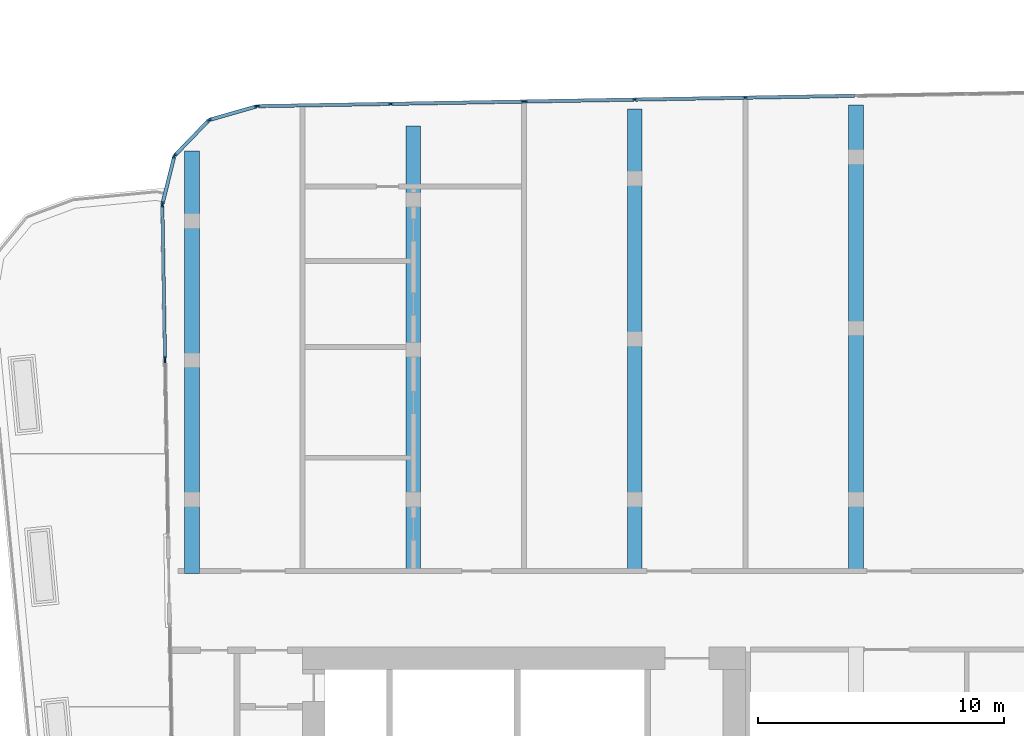
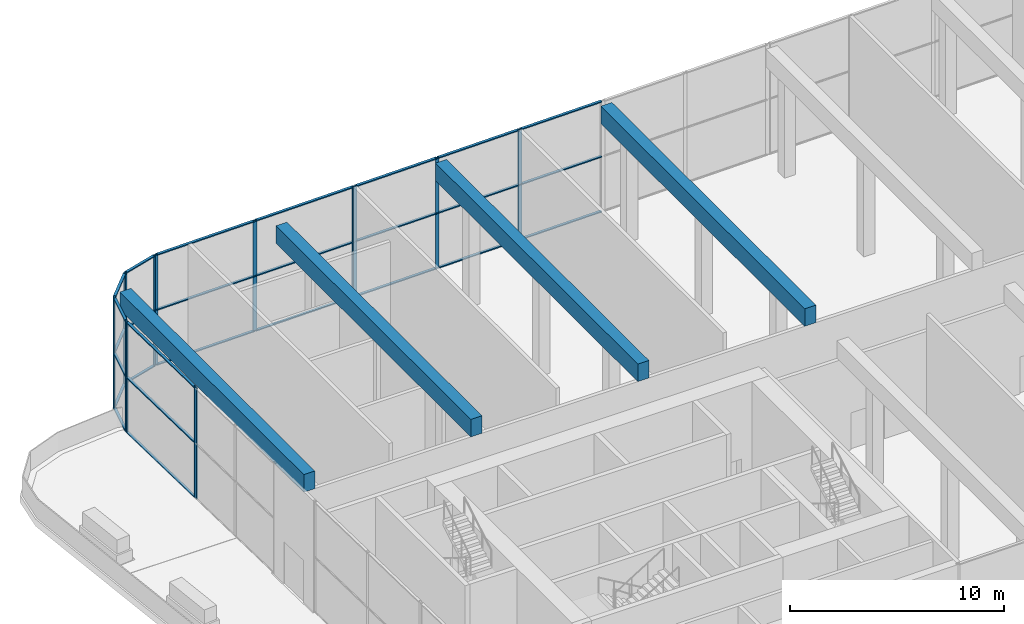
# One storey, part 5 of 24: 42 members, 4 beams, 7 elements without a shape of their own.
"""IFC4 building model written with IfcOpenShell, lengths in metres."""

from ifc_helpers import new_model, si_unit, direction, frame, origin, origin_2d, place, context, subcontext, project, spatial, rectangle, extrude, material, material_profile, profile_set, type_object, element, aggregate, save


model = new_model("IFC4")

# Units and contexts
model_context = context("Model", 3, precision=1e-05, world=origin(), true_north=direction((0.0, 1.0)))
body_context = subcontext(model_context, "Body", "Model", "MODEL_VIEW")
ifc_project = project(units=[si_unit("LENGTHUNIT", "METRE"), si_unit("AREAUNIT", "SQUARE_METRE"), si_unit("VOLUMEUNIT", "CUBIC_METRE"), si_unit("PLANEANGLEUNIT", "RADIAN"), si_unit("MASSUNIT", "GRAM", prefix="KILO")], contexts=[model_context])

# Site, building, storey
site_placement = place(None, origin())
site = spatial("IfcSite", under=ifc_project, at=site_placement, CompositionType="ELEMENT")
building_placement = place(site_placement, origin())
building = spatial("IfcBuilding", under=site, at=building_placement, Name="Kajstack Hotel Tower", CompositionType="ELEMENT")
storey_placement = place(building_placement, frame((0.0, 0.0, 211.10009765625)))
storey = spatial("IfcBuildingStorey", under=building, at=storey_placement, Name="L51", CompositionType="ELEMENT", Elevation=211.10009765625)

# Curtain wall, members
ifc_material_1 = material(Name="Aluminium-framed curtain wall, low-iron insulated glass", Category="aluminium")
curtain_wall_type = type_object("IfcCurtainWallType", Name="CW-GARDEN", PredefinedType="NOTDEFINED", material=ifc_material_1)
curtain_wall_1_placement = place(storey_placement, origin())
curtain_wall_1 = element("IfcCurtainWall", 1, at=curtain_wall_1_placement, inside=storey, type_object=curtain_wall_type, Name="Curtain wall CU6 L51-00-00-0", PredefinedType="NOTDEFINED")
ifc_material_2 = material(Name="Aluminium", Category="aluminium")
ifc_material_profile_1 = material_profile(ifc_material_2, rectangle(XDim=0.06005859375, YDim=0.199951171875, at=origin_2d()), Name="Aluminium mullion 60 x 200")
ifc_profile_set_1 = profile_set([ifc_material_profile_1], Name="Aluminium")
member_type_1 = type_object("IfcMemberType", Name="CW-M-GARDEN", PredefinedType="MULLION", material=ifc_profile_set_1)
member_1_placement = place(storey_placement, frame((-37.206298828125, 16.470703125, 0.0), z_axis=(0.0, 0.0, 1.0), x_axis=(0.999847659763, 0.017454434026, 0.0)))
member_1 = element("IfcMember", 2, at=member_1_placement, type_object=member_type_1, Name="CU6 mullion 1", PredefinedType="MULLION", context=body_context, shape_type="SweptSolid", body=[
    extrude(rectangle(XDim=0.06005859375, YDim=0.199951171875, at=origin_2d()), origin(), (0.0, 0.0, 1.0), 6.31982421875),
])
member_2_placement = place(storey_placement, frame((-37.097412109375, 10.231201171875, 0.0), z_axis=(0.0, 0.0, 1.0), x_axis=(0.999847659763, 0.017454434026, 0.0)))
member_2 = element("IfcMember", 3, at=member_2_placement, type_object=member_type_1, Name="CU6 mullion 2", PredefinedType="MULLION", context=body_context, shape_type="SweptSolid", body=[
    extrude(rectangle(XDim=0.06005859375, YDim=0.199951171875, at=origin_2d()), origin(), (0.0, 0.0, 1.0), 6.31982421875),
])

# Curtain wall, member
curtain_wall_2_placement = place(storey_placement, origin())
curtain_wall_2 = element("IfcCurtainWall", 4, at=curtain_wall_2_placement, inside=storey, type_object=curtain_wall_type, Name="Curtain wall CU6 L51-00-00-1", PredefinedType="NOTDEFINED")
member_3_placement = place(storey_placement, frame((-37.096435546875, 10.17138671875, 0.0), z_axis=(0.0, 0.0, 1.0), x_axis=(0.999847656664, 0.017454611534, 0.0)))
member_3 = element("IfcMember", 5, at=member_3_placement, type_object=member_type_1, Name="CU6 mullion 1", PredefinedType="MULLION", context=body_context, shape_type="SweptSolid", body=[
    extrude(rectangle(XDim=0.06005859375, YDim=0.199951171875, at=origin_2d()), origin(), (0.0, 0.0, 1.0), 6.31982421875),
])
aggregate(curtain_wall_2, [member_3])

# Curtain wall, members
curtain_wall_3_placement = place(storey_placement, origin())
curtain_wall_3 = element("IfcCurtainWall", 6, at=curtain_wall_3_placement, inside=storey, type_object=curtain_wall_type, Name="Curtain wall CU6 L51-12-02-2", PredefinedType="NOTDEFINED")
member_4_placement = place(storey_placement, frame((-13.498779296875, 20.840087890625, 0.0), z_axis=(0.0, 0.0, 1.0), x_axis=(0.017452756148, -0.999847689052, 0.0)))
member_4 = element("IfcMember", 7, at=member_4_placement, type_object=member_type_1, Name="CU6 mullion 2", PredefinedType="MULLION", context=body_context, shape_type="SweptSolid", body=[
    extrude(rectangle(XDim=0.06005859375, YDim=0.199951171875, at=origin_2d()), origin(), (0.0, 0.0, 1.0), 6.31982421875),
])
member_5_placement = place(storey_placement, frame((-17.998779296875, 20.761474609375, 0.0), z_axis=(0.0, 0.0, 1.0), x_axis=(0.017452756148, -0.999847689052, 0.0)))
member_5 = element("IfcMember", 8, at=member_5_placement, type_object=member_type_1, Name="CU6 mullion 3", PredefinedType="MULLION", context=body_context, shape_type="SweptSolid", body=[
    extrude(rectangle(XDim=0.06005859375, YDim=0.199951171875, at=origin_2d()), origin(), (0.0, 0.0, 1.0), 6.31982421875),
])
member_6_placement = place(storey_placement, frame((-22.46875, 20.68359375, 0.0), z_axis=(0.0, 0.0, 1.0), x_axis=(0.017452756148, -0.999847689052, 0.0)))
member_6 = element("IfcMember", 9, at=member_6_placement, type_object=member_type_1, Name="CU6 mullion 4", PredefinedType="MULLION", context=body_context, shape_type="SweptSolid", body=[
    extrude(rectangle(XDim=0.06005859375, YDim=0.199951171875, at=origin_2d()), origin(), (0.0, 0.0, 1.0), 6.31982421875),
])

curtain_wall_4_placement = place(storey_placement, origin())
curtain_wall_4 = element("IfcCurtainWall", 10, at=curtain_wall_4_placement, inside=storey, type_object=curtain_wall_type, Name="Curtain wall CU6 L51-12-02-3", PredefinedType="NOTDEFINED")
member_7_placement = place(storey_placement, frame((-22.528564453125, 20.6826171875, 0.0), z_axis=(0.0, 0.0, 1.0), x_axis=(0.017452836177, -0.999847687655, 0.0)))
member_7 = element("IfcMember", 11, at=member_7_placement, type_object=member_type_1, Name="CU6 mullion 1", PredefinedType="MULLION", context=body_context, shape_type="SweptSolid", body=[
    extrude(rectangle(XDim=0.06005859375, YDim=0.199951171875, at=origin_2d()), origin(), (0.0, 0.0, 1.0), 6.31982421875),
])
member_8_placement = place(storey_placement, frame((-27.9248046875, 20.58837890625, 0.0), z_axis=(0.0, 0.0, 1.0), x_axis=(0.017452836177, -0.999847687655, 0.0)))
member_8 = element("IfcMember", 12, at=member_8_placement, type_object=member_type_1, Name="CU6 mullion 2", PredefinedType="MULLION", context=body_context, shape_type="SweptSolid", body=[
    extrude(rectangle(XDim=0.06005859375, YDim=0.199951171875, at=origin_2d()), origin(), (0.0, 0.0, 1.0), 6.31982421875),
])
member_9_placement = place(storey_placement, frame((-33.321044921875, 20.494140625, 0.0), z_axis=(0.0, 0.0, 1.0), x_axis=(0.017452836177, -0.999847687655, 0.0)))
member_9 = element("IfcMember", 13, at=member_9_placement, type_object=member_type_1, Name="CU6 mullion 3", PredefinedType="MULLION", context=body_context, shape_type="SweptSolid", body=[
    extrude(rectangle(XDim=0.06005859375, YDim=0.199951171875, at=origin_2d()), origin(), (0.0, 0.0, 1.0), 6.31982421875),
])

curtain_wall_5_placement = place(storey_placement, origin())
curtain_wall_5 = element("IfcCurtainWall", 14, at=curtain_wall_5_placement, inside=storey, type_object=curtain_wall_type, Name="Curtain wall CU6 L51-13-00-0", PredefinedType="NOTDEFINED")
member_10_placement = place(storey_placement, frame((-33.3603515625, 20.48828125, 0.0), z_axis=(0.0, 0.0, 1.0), x_axis=(0.275633186987, -0.961262891321, 0.0)))
member_10 = element("IfcMember", 15, at=member_10_placement, type_object=member_type_1, Name="CU6 mullion 1", PredefinedType="MULLION", context=body_context, shape_type="SweptSolid", body=[
    extrude(rectangle(XDim=0.06005859375, YDim=0.199951171875, at=origin_2d()), origin(), (0.0, 0.0, 1.0), 6.31982421875),
])
member_11_placement = place(storey_placement, frame((-35.29296875, 19.93408203125, 0.0), z_axis=(0.0, 0.0, 1.0), x_axis=(0.275633186987, -0.961262891321, 0.0)))
member_11 = element("IfcMember", 16, at=member_11_placement, type_object=member_type_1, Name="CU6 mullion 2", PredefinedType="MULLION", context=body_context, shape_type="SweptSolid", body=[
    extrude(rectangle(XDim=0.06005859375, YDim=0.199951171875, at=origin_2d()), origin(), (0.0, 0.0, 1.0), 6.31982421875),
])

curtain_wall_6_placement = place(storey_placement, origin())
curtain_wall_6 = element("IfcCurtainWall", 17, at=curtain_wall_6_placement, inside=storey, type_object=curtain_wall_type, Name="Curtain wall CU6 L51-14-00-0", PredefinedType="NOTDEFINED")
member_12_placement = place(storey_placement, frame((-35.3095703125, 19.92431640625, 0.0), z_axis=(0.0, 0.0, 1.0), x_axis=(0.719338214871, -0.694660012255, 0.0)))
member_12 = element("IfcMember", 18, at=member_12_placement, type_object=member_type_1, Name="CU6 mullion 1", PredefinedType="MULLION", context=body_context, shape_type="SweptSolid", body=[
    extrude(rectangle(XDim=0.06005859375, YDim=0.199951171875, at=origin_2d()), origin(), (0.0, 0.0, 1.0), 6.31982421875),
])
member_13_placement = place(storey_placement, frame((-36.706298828125, 18.477783203125, 0.0), z_axis=(0.0, 0.0, 1.0), x_axis=(0.719338214871, -0.694660012255, 0.0)))
member_13 = element("IfcMember", 19, at=member_13_placement, type_object=member_type_1, Name="CU6 mullion 2", PredefinedType="MULLION", context=body_context, shape_type="SweptSolid", body=[
    extrude(rectangle(XDim=0.06005859375, YDim=0.199951171875, at=origin_2d()), origin(), (0.0, 0.0, 1.0), 6.31982421875),
])

curtain_wall_7_placement = place(storey_placement, origin())
curtain_wall_7 = element("IfcCurtainWall", 20, at=curtain_wall_7_placement, inside=storey, type_object=curtain_wall_type, Name="Curtain wall CU6 L51-15-00-0", PredefinedType="NOTDEFINED")
member_14_placement = place(storey_placement, frame((-36.715576171875, 18.461181640625, 0.0), z_axis=(0.0, 0.0, 1.0), x_axis=(0.970295721484, -0.241921914821, 0.0)))
member_14 = element("IfcMember", 21, at=member_14_placement, type_object=member_type_1, Name="CU6 mullion 1", PredefinedType="MULLION", context=body_context, shape_type="SweptSolid", body=[
    extrude(rectangle(XDim=0.06005859375, YDim=0.199951171875, at=origin_2d()), origin(), (0.0, 0.0, 1.0), 6.31982421875),
])
member_15_placement = place(storey_placement, frame((-37.201904296875, 16.51025390625, 0.0), z_axis=(0.0, 0.0, 1.0), x_axis=(0.970295721484, -0.241921914821, 0.0)))
member_15 = element("IfcMember", 22, at=member_15_placement, type_object=member_type_1, Name="CU6 mullion 2", PredefinedType="MULLION", context=body_context, shape_type="SweptSolid", body=[
    extrude(rectangle(XDim=0.06005859375, YDim=0.199951171875, at=origin_2d()), origin(), (0.0, 0.0, 1.0), 6.31982421875),
])

# Member
ifc_material_profile_2 = material_profile(ifc_material_2, rectangle(XDim=0.139892578125, YDim=0.06005859375, at=origin_2d()), Name="Aluminium transom 140 x 60")
ifc_profile_set_2 = profile_set([ifc_material_profile_2], Name="Aluminium")
member_type_2 = type_object("IfcMemberType", Name="CW-T-GARDEN", PredefinedType="USERDEFINED", material=ifc_profile_set_2)
member_16_placement = place(storey_placement, frame((-37.205810546875, 16.440673828125, 0.02978515625), z_axis=(0.017460101216, -0.999847560814, 0.0), x_axis=(0.999847560814, 0.017460101216, 0.0)))
member_16 = element("IfcMember", 23, at=member_16_placement, type_object=member_type_2, Name="CU6 transom 1.1", ObjectType="TRANSOM", PredefinedType="USERDEFINED", context=body_context, shape_type="SweptSolid", body=[
    extrude(rectangle(XDim=0.139892578125, YDim=0.06005859375, at=origin_2d()), origin(), (0.0, 0.0, 1.0), 6.180419921875),
])

member_17_placement = place(storey_placement, frame((-37.205810546875, 16.440673828125, 3.159912109375), z_axis=(0.017460101216, -0.999847560814, 0.0), x_axis=(0.999847560814, 0.017460101216, 0.0)))
member_17 = element("IfcMember", 24, at=member_17_placement, type_object=member_type_2, Name="CU6 transom 1.2", ObjectType="TRANSOM", PredefinedType="USERDEFINED", context=body_context, shape_type="SweptSolid", body=[
    extrude(rectangle(XDim=0.139892578125, YDim=0.06005859375, at=origin_2d()), origin(), (0.0, 0.0, 1.0), 6.180419921875),
])

member_18_placement = place(storey_placement, frame((-37.205810546875, 16.440673828125, 6.289794921875), z_axis=(0.017460101216, -0.999847560814, 0.0), x_axis=(0.999847560814, 0.017460101216, 0.0)))
member_18 = element("IfcMember", 25, at=member_18_placement, type_object=member_type_2, Name="CU6 transom 1.3", ObjectType="TRANSOM", PredefinedType="USERDEFINED", context=body_context, shape_type="SweptSolid", body=[
    extrude(rectangle(XDim=0.139892578125, YDim=0.06005859375, at=origin_2d()), origin(), (0.0, 0.0, 1.0), 6.180419921875),
])

aggregate(curtain_wall_1, [member_1, member_2, member_16, member_17, member_18])

member_19_placement = place(storey_placement, frame((-9.05859375, 20.917724609375, 0.02978515625), z_axis=(-0.99984702634, -0.01749068093, 0.0), x_axis=(0.01749068093, -0.99984702634, 0.0)))
member_19 = element("IfcMember", 26, at=member_19_placement, type_object=member_type_2, Name="CU6 transom 1.1", ObjectType="TRANSOM", PredefinedType="USERDEFINED", context=body_context, shape_type="SweptSolid", body=[
    extrude(rectangle(XDim=0.139892578125, YDim=0.06005859375, at=origin_2d()), origin(), (0.0, 0.0, 1.0), 4.410888671875),
])

member_20_placement = place(storey_placement, frame((-9.05859375, 20.917724609375, 3.159912109375), z_axis=(-0.99984702634, -0.01749068093, 0.0), x_axis=(0.01749068093, -0.99984702634, 0.0)))
member_20 = element("IfcMember", 27, at=member_20_placement, type_object=member_type_2, Name="CU6 transom 1.2", ObjectType="TRANSOM", PredefinedType="USERDEFINED", context=body_context, shape_type="SweptSolid", body=[
    extrude(rectangle(XDim=0.139892578125, YDim=0.06005859375, at=origin_2d()), origin(), (0.0, 0.0, 1.0), 4.410888671875),
])

member_21_placement = place(storey_placement, frame((-9.05859375, 20.917724609375, 6.289794921875), z_axis=(-0.99984702634, -0.01749068093, 0.0), x_axis=(0.01749068093, -0.99984702634, 0.0)))
member_21 = element("IfcMember", 28, at=member_21_placement, type_object=member_type_2, Name="CU6 transom 1.3", ObjectType="TRANSOM", PredefinedType="USERDEFINED", context=body_context, shape_type="SweptSolid", body=[
    extrude(rectangle(XDim=0.139892578125, YDim=0.06005859375, at=origin_2d()), origin(), (0.0, 0.0, 1.0), 4.410888671875),
])

member_22_placement = place(storey_placement, frame((-13.528564453125, 20.839599609375, 0.02978515625), z_axis=(-0.999848131588, -0.017427385369, 0.0), x_axis=(0.017427385369, -0.999848131588, 0.0)))
member_22 = element("IfcMember", 29, at=member_22_placement, type_object=member_type_2, Name="CU6 transom 2.1", ObjectType="TRANSOM", PredefinedType="USERDEFINED", context=body_context, shape_type="SweptSolid", body=[
    extrude(rectangle(XDim=0.139892578125, YDim=0.06005859375, at=origin_2d()), origin(), (0.0, 0.0, 1.0), 4.44091796875),
])

member_23_placement = place(storey_placement, frame((-13.528564453125, 20.839599609375, 3.159912109375), z_axis=(-0.999848131588, -0.017427385369, 0.0), x_axis=(0.017427385369, -0.999848131588, 0.0)))
member_23 = element("IfcMember", 30, at=member_23_placement, type_object=member_type_2, Name="CU6 transom 2.2", ObjectType="TRANSOM", PredefinedType="USERDEFINED", context=body_context, shape_type="SweptSolid", body=[
    extrude(rectangle(XDim=0.139892578125, YDim=0.06005859375, at=origin_2d()), origin(), (0.0, 0.0, 1.0), 4.44091796875),
])

member_24_placement = place(storey_placement, frame((-13.528564453125, 20.839599609375, 6.289794921875), z_axis=(-0.999848131588, -0.017427385369, 0.0), x_axis=(0.017427385369, -0.999848131588, 0.0)))
member_24 = element("IfcMember", 31, at=member_24_placement, type_object=member_type_2, Name="CU6 transom 2.3", ObjectType="TRANSOM", PredefinedType="USERDEFINED", context=body_context, shape_type="SweptSolid", body=[
    extrude(rectangle(XDim=0.139892578125, YDim=0.06005859375, at=origin_2d()), origin(), (0.0, 0.0, 1.0), 4.44091796875),
])

member_25_placement = place(storey_placement, frame((-18.028564453125, 20.760986328125, 0.02978515625), z_axis=(-0.999847992775, -0.017435347527, 0.0), x_axis=(0.017435347527, -0.999847992775, 0.0)))
member_25 = element("IfcMember", 32, at=member_25_placement, type_object=member_type_2, Name="CU6 transom 3.1", ObjectType="TRANSOM", PredefinedType="USERDEFINED", context=body_context, shape_type="SweptSolid", body=[
    extrude(rectangle(XDim=0.139892578125, YDim=0.06005859375, at=origin_2d()), origin(), (0.0, 0.0, 1.0), 4.410888671875),
])

member_26_placement = place(storey_placement, frame((-18.028564453125, 20.760986328125, 3.159912109375), z_axis=(-0.999847992775, -0.017435347527, 0.0), x_axis=(0.017435347527, -0.999847992775, 0.0)))
member_26 = element("IfcMember", 33, at=member_26_placement, type_object=member_type_2, Name="CU6 transom 3.2", ObjectType="TRANSOM", PredefinedType="USERDEFINED", context=body_context, shape_type="SweptSolid", body=[
    extrude(rectangle(XDim=0.139892578125, YDim=0.06005859375, at=origin_2d()), origin(), (0.0, 0.0, 1.0), 4.410888671875),
])

member_27_placement = place(storey_placement, frame((-18.028564453125, 20.760986328125, 6.289794921875), z_axis=(-0.999847992775, -0.017435347527, 0.0), x_axis=(0.017435347527, -0.999847992775, 0.0)))
member_27 = element("IfcMember", 34, at=member_27_placement, type_object=member_type_2, Name="CU6 transom 3.3", ObjectType="TRANSOM", PredefinedType="USERDEFINED", context=body_context, shape_type="SweptSolid", body=[
    extrude(rectangle(XDim=0.139892578125, YDim=0.06005859375, at=origin_2d()), origin(), (0.0, 0.0, 1.0), 4.410888671875),
])

aggregate(curtain_wall_3, [member_4, member_5, member_6, member_19, member_20, member_21, member_22, member_23, member_24, member_25, member_26, member_27])

member_28_placement = place(storey_placement, frame((-22.55859375, 20.681884765625, 0.02978515625), z_axis=(-0.999848106254, -0.017428838747, 0.0), x_axis=(0.017428838747, -0.999848106254, 0.0)))
member_28 = element("IfcMember", 35, at=member_28_placement, type_object=member_type_2, Name="CU6 transom 1.1", ObjectType="TRANSOM", PredefinedType="USERDEFINED", context=body_context, shape_type="SweptSolid", body=[
    extrude(rectangle(XDim=0.139892578125, YDim=0.06005859375, at=origin_2d()), origin(), (0.0, 0.0, 1.0), 5.3369140625),
])

member_29_placement = place(storey_placement, frame((-22.55859375, 20.681884765625, 3.159912109375), z_axis=(-0.999848106254, -0.017428838747, 0.0), x_axis=(0.017428838747, -0.999848106254, 0.0)))
member_29 = element("IfcMember", 36, at=member_29_placement, type_object=member_type_2, Name="CU6 transom 1.2", ObjectType="TRANSOM", PredefinedType="USERDEFINED", context=body_context, shape_type="SweptSolid", body=[
    extrude(rectangle(XDim=0.139892578125, YDim=0.06005859375, at=origin_2d()), origin(), (0.0, 0.0, 1.0), 5.3369140625),
])

member_30_placement = place(storey_placement, frame((-22.55859375, 20.681884765625, 6.289794921875), z_axis=(-0.999848106254, -0.017428838747, 0.0), x_axis=(0.017428838747, -0.999848106254, 0.0)))
member_30 = element("IfcMember", 37, at=member_30_placement, type_object=member_type_2, Name="CU6 transom 1.3", ObjectType="TRANSOM", PredefinedType="USERDEFINED", context=body_context, shape_type="SweptSolid", body=[
    extrude(rectangle(XDim=0.139892578125, YDim=0.06005859375, at=origin_2d()), origin(), (0.0, 0.0, 1.0), 5.3369140625),
])

member_31_placement = place(storey_placement, frame((-27.954833984375, 20.587890625, 0.02978515625), z_axis=(-0.999847308048, -0.01747456978, 0.0), x_axis=(0.01747456978, -0.999847308048, 0.0)))
member_31 = element("IfcMember", 38, at=member_31_placement, type_object=member_type_2, Name="CU6 transom 2.1", ObjectType="TRANSOM", PredefinedType="USERDEFINED", context=body_context, shape_type="SweptSolid", body=[
    extrude(rectangle(XDim=0.139892578125, YDim=0.06005859375, at=origin_2d()), origin(), (0.0, 0.0, 1.0), 5.3369140625),
])

member_32_placement = place(storey_placement, frame((-27.954833984375, 20.587890625, 3.159912109375), z_axis=(-0.999847308048, -0.01747456978, 0.0), x_axis=(0.01747456978, -0.999847308048, 0.0)))
member_32 = element("IfcMember", 39, at=member_32_placement, type_object=member_type_2, Name="CU6 transom 2.2", ObjectType="TRANSOM", PredefinedType="USERDEFINED", context=body_context, shape_type="SweptSolid", body=[
    extrude(rectangle(XDim=0.139892578125, YDim=0.06005859375, at=origin_2d()), origin(), (0.0, 0.0, 1.0), 5.3369140625),
])

member_33_placement = place(storey_placement, frame((-27.954833984375, 20.587890625, 6.289794921875), z_axis=(-0.999847308048, -0.01747456978, 0.0), x_axis=(0.01747456978, -0.999847308048, 0.0)))
member_33 = element("IfcMember", 40, at=member_33_placement, type_object=member_type_2, Name="CU6 transom 2.3", ObjectType="TRANSOM", PredefinedType="USERDEFINED", context=body_context, shape_type="SweptSolid", body=[
    extrude(rectangle(XDim=0.139892578125, YDim=0.06005859375, at=origin_2d()), origin(), (0.0, 0.0, 1.0), 5.3369140625),
])

aggregate(curtain_wall_4, [member_7, member_8, member_9, member_28, member_29, member_30, member_31, member_32, member_33])

member_34_placement = place(storey_placement, frame((-33.389404296875, 20.47998046875, 0.02978515625), z_axis=(-0.961258970078, -0.275646861845, 0.0), x_axis=(0.275646861845, -0.961258970078, 0.0)))
member_34 = element("IfcMember", 41, at=member_34_placement, type_object=member_type_2, Name="CU6 transom 1.1", ObjectType="TRANSOM", PredefinedType="USERDEFINED", context=body_context, shape_type="SweptSolid", body=[
    extrude(rectangle(XDim=0.139892578125, YDim=0.06005859375, at=origin_2d()), origin(), (0.0, 0.0, 1.0), 1.9501953125),
])

member_35_placement = place(storey_placement, frame((-33.389404296875, 20.47998046875, 3.159912109375), z_axis=(-0.961258970078, -0.275646861845, 0.0), x_axis=(0.275646861845, -0.961258970078, 0.0)))
member_35 = element("IfcMember", 42, at=member_35_placement, type_object=member_type_2, Name="CU6 transom 1.2", ObjectType="TRANSOM", PredefinedType="USERDEFINED", context=body_context, shape_type="SweptSolid", body=[
    extrude(rectangle(XDim=0.139892578125, YDim=0.06005859375, at=origin_2d()), origin(), (0.0, 0.0, 1.0), 1.9501953125),
])

member_36_placement = place(storey_placement, frame((-33.389404296875, 20.47998046875, 6.289794921875), z_axis=(-0.961258970078, -0.275646861845, 0.0), x_axis=(0.275646861845, -0.961258970078, 0.0)))
member_36 = element("IfcMember", 43, at=member_36_placement, type_object=member_type_2, Name="CU6 transom 1.3", ObjectType="TRANSOM", PredefinedType="USERDEFINED", context=body_context, shape_type="SweptSolid", body=[
    extrude(rectangle(XDim=0.139892578125, YDim=0.06005859375, at=origin_2d()), origin(), (0.0, 0.0, 1.0), 1.9501953125),
])

aggregate(curtain_wall_5, [member_10, member_11, member_34, member_35, member_36])

member_37_placement = place(storey_placement, frame((-35.330322265625, 19.902587890625, 0.02978515625), z_axis=(-0.694670456614, -0.719328128678, 0.0), x_axis=(0.719328128678, -0.694670456614, 0.0)))
member_37 = element("IfcMember", 44, at=member_37_placement, type_object=member_type_2, Name="CU6 transom 1.1", ObjectType="TRANSOM", PredefinedType="USERDEFINED", context=body_context, shape_type="SweptSolid", body=[
    extrude(rectangle(XDim=0.139892578125, YDim=0.06005859375, at=origin_2d()), origin(), (0.0, 0.0, 1.0), 1.950439453125),
])

member_38_placement = place(storey_placement, frame((-35.330322265625, 19.902587890625, 3.159912109375), z_axis=(-0.694670456614, -0.719328128678, 0.0), x_axis=(0.719328128678, -0.694670456614, 0.0)))
member_38 = element("IfcMember", 45, at=member_38_placement, type_object=member_type_2, Name="CU6 transom 1.2", ObjectType="TRANSOM", PredefinedType="USERDEFINED", context=body_context, shape_type="SweptSolid", body=[
    extrude(rectangle(XDim=0.139892578125, YDim=0.06005859375, at=origin_2d()), origin(), (0.0, 0.0, 1.0), 1.950439453125),
])

member_39_placement = place(storey_placement, frame((-35.330322265625, 19.902587890625, 6.289794921875), z_axis=(-0.694670456614, -0.719328128678, 0.0), x_axis=(0.719328128678, -0.694670456614, 0.0)))
member_39 = element("IfcMember", 46, at=member_39_placement, type_object=member_type_2, Name="CU6 transom 1.3", ObjectType="TRANSOM", PredefinedType="USERDEFINED", context=body_context, shape_type="SweptSolid", body=[
    extrude(rectangle(XDim=0.139892578125, YDim=0.06005859375, at=origin_2d()), origin(), (0.0, 0.0, 1.0), 1.950439453125),
])

aggregate(curtain_wall_6, [member_12, member_13, member_37, member_38, member_39])

member_40_placement = place(storey_placement, frame((-36.72265625, 18.43212890625, 0.02978515625), z_axis=(-0.241946562198, -0.970289575869, 0.0), x_axis=(0.970289575869, -0.241946562198, 0.0)))
member_40 = element("IfcMember", 47, at=member_40_placement, type_object=member_type_2, Name="CU6 transom 1.1", ObjectType="TRANSOM", PredefinedType="USERDEFINED", context=body_context, shape_type="SweptSolid", body=[
    extrude(rectangle(XDim=0.139892578125, YDim=0.06005859375, at=origin_2d()), origin(), (0.0, 0.0, 1.0), 1.950439453125),
])

member_41_placement = place(storey_placement, frame((-36.72265625, 18.43212890625, 3.159912109375), z_axis=(-0.241946562198, -0.970289575869, 0.0), x_axis=(0.970289575869, -0.241946562198, 0.0)))
member_41 = element("IfcMember", 48, at=member_41_placement, type_object=member_type_2, Name="CU6 transom 1.2", ObjectType="TRANSOM", PredefinedType="USERDEFINED", context=body_context, shape_type="SweptSolid", body=[
    extrude(rectangle(XDim=0.139892578125, YDim=0.06005859375, at=origin_2d()), origin(), (0.0, 0.0, 1.0), 1.950439453125),
])

member_42_placement = place(storey_placement, frame((-36.72265625, 18.43212890625, 6.289794921875), z_axis=(-0.241946562198, -0.970289575869, 0.0), x_axis=(0.970289575869, -0.241946562198, 0.0)))
member_42 = element("IfcMember", 49, at=member_42_placement, type_object=member_type_2, Name="CU6 transom 1.3", ObjectType="TRANSOM", PredefinedType="USERDEFINED", context=body_context, shape_type="SweptSolid", body=[
    extrude(rectangle(XDim=0.139892578125, YDim=0.06005859375, at=origin_2d()), origin(), (0.0, 0.0, 1.0), 1.950439453125),
])

aggregate(curtain_wall_7, [member_14, member_15, member_40, member_41, member_42])

# Beams
ifc_material_3 = material(Name="Concrete C60/75", Category="concrete")
ifc_material_profile_3 = material_profile(ifc_material_3, rectangle(XDim=0.60009765625, YDim=1.0, at=origin_2d()), Name="RC 600x1000")
ifc_profile_set_3 = profile_set([ifc_material_profile_3], Name="Concrete C60/75")
beam_type = type_object("IfcBeamType", Name="TG4 RC 600x1000 C60/75", PredefinedType="BEAM", material=ifc_profile_set_3)
beam_1_placement = place(storey_placement, frame((-36.0, 1.5, 5.81982421875), z_axis=(0.0, 1.0, 0.0), x_axis=(-1.0, 0.0, 0.0)))
element("IfcBeam", 50, at=beam_1_placement, inside=storey, type_object=beam_type, Name="S-girder-L51--36p0-1", PredefinedType="BEAM", context=body_context, shape_type="SweptSolid", body=[
    extrude(rectangle(XDim=0.60009765625, YDim=1.0, at=origin_2d()), origin(), (0.0, 0.0, 1.0), 17.169189453125),
])
beam_2_placement = place(storey_placement, frame((-27.0, 1.5, 5.81982421875), z_axis=(0.0, 1.0, 0.0), x_axis=(-1.0, 0.0, 0.0)))
element("IfcBeam", 51, at=beam_2_placement, inside=storey, type_object=beam_type, Name="S-girder-L51--27p0-1", PredefinedType="BEAM", context=body_context, shape_type="SweptSolid", body=[
    extrude(rectangle(XDim=0.60009765625, YDim=1.0, at=origin_2d()), origin(), (0.0, 0.0, 1.0), 18.189697265625),
])
beam_3_placement = place(storey_placement, frame((-18.0, 1.5, 5.81982421875), z_axis=(0.0, 1.0, 0.0), x_axis=(-1.0, 0.0, 0.0)))
element("IfcBeam", 52, at=beam_3_placement, inside=storey, type_object=beam_type, Name="S-girder-L51--18p0-1", PredefinedType="BEAM", context=body_context, shape_type="SweptSolid", body=[
    extrude(rectangle(XDim=0.60009765625, YDim=1.0, at=origin_2d()), origin(), (0.0, 0.0, 1.0), 18.886474609375),
])
beam_4_placement = place(storey_placement, frame((-9.0, 1.5, 5.81982421875), z_axis=(0.0, 1.0, 0.0), x_axis=(-1.0, 0.0, 0.0)))
element("IfcBeam", 53, at=beam_4_placement, inside=storey, type_object=beam_type, Name="S-girder-L51--9p0-2", PredefinedType="BEAM", context=body_context, shape_type="SweptSolid", body=[
    extrude(rectangle(XDim=0.60009765625, YDim=1.0, at=origin_2d()), origin(), (0.0, 0.0, 1.0), 19.043701171875),
])

save(model, "model.ifc")
